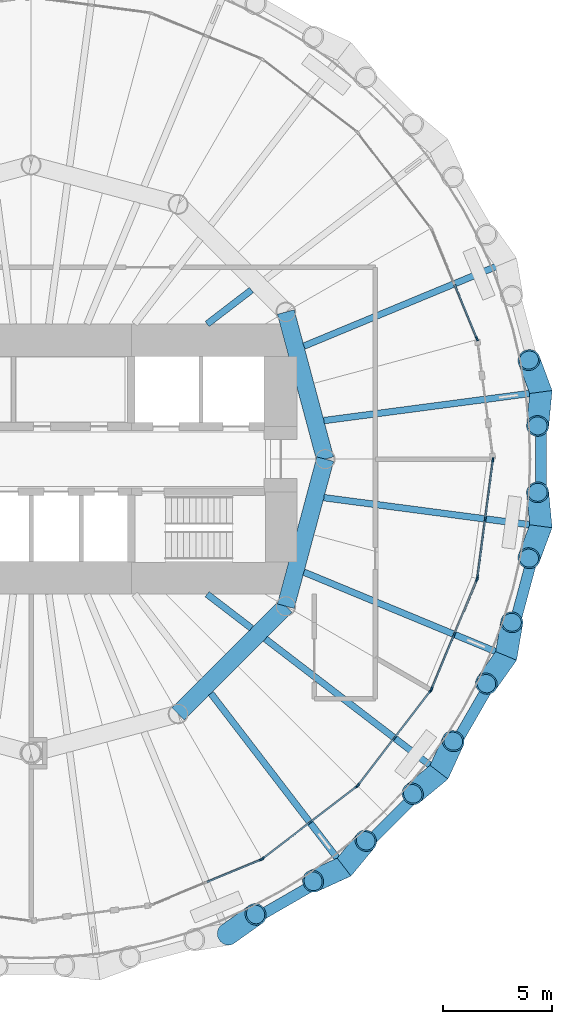
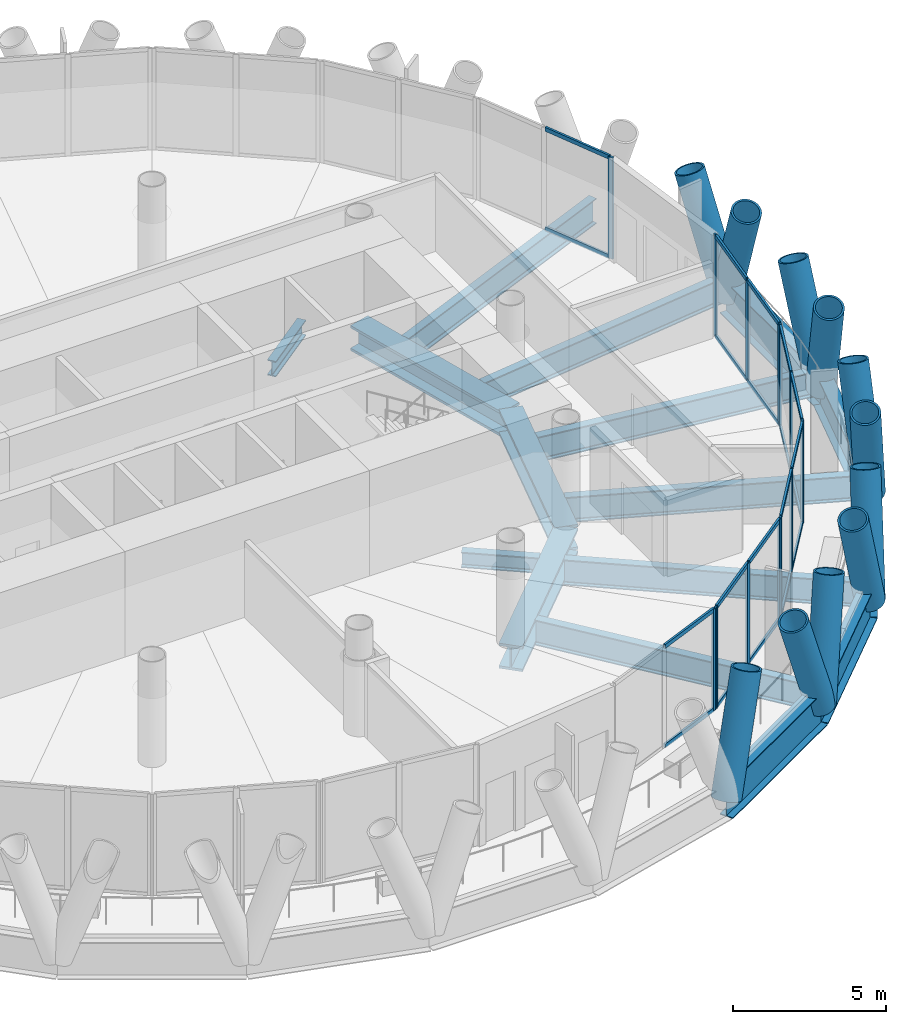
# One storey, part 4 of 14: 45 members, 16 beams, 6 elements without a shape of their own.
"""IFC4 building model written with IfcOpenShell, lengths in metres."""

from ifc_helpers import new_model, si_unit, direction, frame, origin, origin_2d, place, context, subcontext, project, spatial, rectangle, hollow_circle, i_section, extrude, material, material_profile, profile_set, type_object, element, aggregate, save


model = new_model("IFC4")

# Units and contexts
model_context = context("Model", 3, precision=1e-05, world=origin(), true_north=direction((0.0, 1.0)))
body_context = subcontext(model_context, "Body", "Model", "MODEL_VIEW")
ifc_project = project(units=[si_unit("LENGTHUNIT", "METRE"), si_unit("AREAUNIT", "SQUARE_METRE"), si_unit("VOLUMEUNIT", "CUBIC_METRE"), si_unit("PLANEANGLEUNIT", "RADIAN"), si_unit("MASSUNIT", "GRAM", prefix="KILO")], contexts=[model_context])

# Site, building, storey
site_placement = place(None, origin())
site = spatial("IfcSite", under=ifc_project, at=site_placement, CompositionType="ELEMENT")
building_placement = place(site_placement, origin())
building = spatial("IfcBuilding", under=site, at=building_placement, Name="Qaws Media Tower", CompositionType="ELEMENT")
storey_placement = place(building_placement, frame((0.0, 0.0, 202.39990234375)))
storey = spatial("IfcBuildingStorey", under=building, at=storey_placement, Name="L46", CompositionType="ELEMENT", Elevation=202.39990234375)

# Curtain wall, member
ifc_material_1 = material(Name="Aluminium and clear glass", Category="aluminium")
curtain_wall_type = type_object("IfcCurtainWallType", Name="Unitised curtain wall CW-C", PredefinedType="NOTDEFINED", material=ifc_material_1)
curtain_wall_1_placement = place(storey_placement, origin())
curtain_wall_1 = element("IfcCurtainWall", 1, at=curtain_wall_1_placement, inside=storey, type_object=curtain_wall_type, Name="CWC curtain wall L46-02", PredefinedType="NOTDEFINED")
ifc_material_2 = material(Name="Aluminium mullion", Category="aluminium")
ifc_material_profile_1 = material_profile(ifc_material_2, rectangle(XDim=0.080078125, YDim=0.199951171875, at=origin_2d()), Name="80x200")
ifc_profile_set_1 = profile_set([ifc_material_profile_1], Name="Aluminium mullion")
member_type_1 = type_object("IfcMemberType", Name="Curtain wall mullion 80x200", PredefinedType="MULLION", material=ifc_profile_set_1)
member_1_placement = place(storey_placement, frame((80.46240234375, 55.52392578125, 0.0), z_axis=(0.0, 0.0, 1.0), x_axis=(-0.923879523321, -0.382683454553, 0.0)))
member_1 = element("IfcMember", 2, at=member_1_placement, type_object=member_type_1, Name="CWC mullion 1", PredefinedType="MULLION", context=body_context, shape_type="SweptSolid", body=[
    extrude(rectangle(XDim=0.080078125, YDim=0.199951171875, at=origin_2d()), origin(), (0.0, 0.0, 1.0), 4.0400390625),
])

curtain_wall_2_placement = place(storey_placement, origin())
curtain_wall_2 = element("IfcCurtainWall", 3, at=curtain_wall_2_placement, inside=storey, type_object=curtain_wall_type, Name="CWC curtain wall L46-20", PredefinedType="NOTDEFINED")
member_2_placement = place(storey_placement, frame((70.56298828125, 31.625, 0.0), z_axis=(0.0, 0.0, 1.0), x_axis=(-0.382683454553, 0.923879523321, 0.0)))
member_2 = element("IfcMember", 4, at=member_2_placement, type_object=member_type_1, Name="CWC mullion 3", PredefinedType="MULLION", context=body_context, shape_type="SweptSolid", body=[
    extrude(rectangle(XDim=0.080078125, YDim=0.199951171875, at=origin_2d()), origin(), (0.0, 0.0, 1.0), 4.0400390625),
])

# Curtain wall, members
curtain_wall_3_placement = place(storey_placement, origin())
curtain_wall_3 = element("IfcCurtainWall", 5, at=curtain_wall_3_placement, inside=storey, type_object=curtain_wall_type, Name="CWC curtain wall L46-21", PredefinedType="NOTDEFINED")
member_3_placement = place(storey_placement, frame((70.6318359375, 31.66455078125, 0.0), z_axis=(0.0, 0.0, 1.0), x_axis=(-0.608761431016, 0.793353338751, 0.0)))
member_3 = element("IfcMember", 6, at=member_3_placement, type_object=member_type_1, Name="CWC mullion 1", PredefinedType="MULLION", context=body_context, shape_type="SweptSolid", body=[
    extrude(rectangle(XDim=0.080078125, YDim=0.199951171875, at=origin_2d()), origin(), (0.0, 0.0, 1.0), 4.0400390625),
])
member_4_placement = place(storey_placement, frame((72.79541015625, 33.32470703125, 0.0), z_axis=(0.0, 0.0, 1.0), x_axis=(-0.608761431016, 0.793353338751, 0.0)))
member_4 = element("IfcMember", 7, at=member_4_placement, type_object=member_type_1, Name="CWC mullion 2", PredefinedType="MULLION", context=body_context, shape_type="SweptSolid", body=[
    extrude(rectangle(XDim=0.080078125, YDim=0.199951171875, at=origin_2d()), origin(), (0.0, 0.0, 1.0), 4.0400390625),
])
member_5_placement = place(storey_placement, frame((74.958984375, 34.985107421875, 0.0), z_axis=(0.0, 0.0, 1.0), x_axis=(-0.608761431016, 0.793353338751, 0.0)))
member_5 = element("IfcMember", 8, at=member_5_placement, type_object=member_type_1, Name="CWC mullion 3", PredefinedType="MULLION", context=body_context, shape_type="SweptSolid", body=[
    extrude(rectangle(XDim=0.080078125, YDim=0.199951171875, at=origin_2d()), origin(), (0.0, 0.0, 1.0), 4.0400390625),
])

curtain_wall_4_placement = place(storey_placement, origin())
curtain_wall_4 = element("IfcCurtainWall", 9, at=curtain_wall_4_placement, inside=storey, type_object=curtain_wall_type, Name="CWC curtain wall L46-22", PredefinedType="NOTDEFINED")
member_6_placement = place(storey_placement, frame((75.014892578125, 35.041015625, 0.0), z_axis=(0.0, 0.0, 1.0), x_axis=(-0.793353338751, 0.608761431016, 0.0)))
member_6 = element("IfcMember", 10, at=member_6_placement, type_object=member_type_1, Name="CWC mullion 1", PredefinedType="MULLION", context=body_context, shape_type="SweptSolid", body=[
    extrude(rectangle(XDim=0.080078125, YDim=0.199951171875, at=origin_2d()), origin(), (0.0, 0.0, 1.0), 4.0400390625),
])
member_7_placement = place(storey_placement, frame((76.67529296875, 37.20458984375, 0.0), z_axis=(0.0, 0.0, 1.0), x_axis=(-0.793353338751, 0.608761431016, 0.0)))
member_7 = element("IfcMember", 11, at=member_7_placement, type_object=member_type_1, Name="CWC mullion 2", PredefinedType="MULLION", context=body_context, shape_type="SweptSolid", body=[
    extrude(rectangle(XDim=0.080078125, YDim=0.199951171875, at=origin_2d()), origin(), (0.0, 0.0, 1.0), 4.0400390625),
])
member_8_placement = place(storey_placement, frame((78.33544921875, 39.3681640625, 0.0), z_axis=(0.0, 0.0, 1.0), x_axis=(-0.793353338751, 0.608761431016, 0.0)))
member_8 = element("IfcMember", 12, at=member_8_placement, type_object=member_type_1, Name="CWC mullion 3", PredefinedType="MULLION", context=body_context, shape_type="SweptSolid", body=[
    extrude(rectangle(XDim=0.080078125, YDim=0.199951171875, at=origin_2d()), origin(), (0.0, 0.0, 1.0), 4.0400390625),
])

curtain_wall_5_placement = place(storey_placement, origin())
curtain_wall_5 = element("IfcCurtainWall", 13, at=curtain_wall_5_placement, inside=storey, type_object=curtain_wall_type, Name="CWC curtain wall L46-23", PredefinedType="NOTDEFINED")
member_9_placement = place(storey_placement, frame((78.375, 39.43701171875, 0.0), z_axis=(0.0, 0.0, 1.0), x_axis=(-0.923879523321, 0.382683454553, 0.0)))
member_9 = element("IfcMember", 14, at=member_9_placement, type_object=member_type_1, Name="CWC mullion 1", PredefinedType="MULLION", context=body_context, shape_type="SweptSolid", body=[
    extrude(rectangle(XDim=0.080078125, YDim=0.199951171875, at=origin_2d()), origin(), (0.0, 0.0, 1.0), 4.0400390625),
])
member_10_placement = place(storey_placement, frame((79.418701171875, 41.95654296875, 0.0), z_axis=(0.0, 0.0, 1.0), x_axis=(-0.923879523321, 0.382683454553, 0.0)))
member_10 = element("IfcMember", 15, at=member_10_placement, type_object=member_type_1, Name="CWC mullion 2", PredefinedType="MULLION", context=body_context, shape_type="SweptSolid", body=[
    extrude(rectangle(XDim=0.080078125, YDim=0.199951171875, at=origin_2d()), origin(), (0.0, 0.0, 1.0), 4.0400390625),
])
member_11_placement = place(storey_placement, frame((80.46240234375, 44.47607421875, 0.0), z_axis=(0.0, 0.0, 1.0), x_axis=(-0.923879523321, 0.382683454553, 0.0)))
member_11 = element("IfcMember", 16, at=member_11_placement, type_object=member_type_1, Name="CWC mullion 3", PredefinedType="MULLION", context=body_context, shape_type="SweptSolid", body=[
    extrude(rectangle(XDim=0.080078125, YDim=0.199951171875, at=origin_2d()), origin(), (0.0, 0.0, 1.0), 4.0400390625),
])

curtain_wall_6_placement = place(storey_placement, origin())
curtain_wall_6 = element("IfcCurtainWall", 17, at=curtain_wall_6_placement, inside=storey, type_object=curtain_wall_type, Name="CWC curtain wall L46-24", PredefinedType="NOTDEFINED")
member_12_placement = place(storey_placement, frame((80.48291015625, 44.552734375, 0.0), z_axis=(0.0, 0.0, 1.0), x_axis=(-0.991444873411, 0.130526100786, 0.0)))
member_12 = element("IfcMember", 18, at=member_12_placement, type_object=member_type_1, Name="CWC mullion 1", PredefinedType="MULLION", context=body_context, shape_type="SweptSolid", body=[
    extrude(rectangle(XDim=0.080078125, YDim=0.199951171875, at=origin_2d()), origin(), (0.0, 0.0, 1.0), 4.0400390625),
])
member_13_placement = place(storey_placement, frame((80.8388671875, 47.256591796875, 0.0), z_axis=(0.0, 0.0, 1.0), x_axis=(-0.991444873411, 0.130526100786, 0.0)))
member_13 = element("IfcMember", 19, at=member_13_placement, type_object=member_type_1, Name="CWC mullion 2", PredefinedType="MULLION", context=body_context, shape_type="SweptSolid", body=[
    extrude(rectangle(XDim=0.080078125, YDim=0.199951171875, at=origin_2d()), origin(), (0.0, 0.0, 1.0), 4.0400390625),
])
member_14_placement = place(storey_placement, frame((81.19482421875, 49.96044921875, 0.0), z_axis=(0.0, 0.0, 1.0), x_axis=(-0.991444873411, 0.130526100786, 0.0)))
member_14 = element("IfcMember", 20, at=member_14_placement, type_object=member_type_1, Name="CWC mullion 3", PredefinedType="MULLION", context=body_context, shape_type="SweptSolid", body=[
    extrude(rectangle(XDim=0.080078125, YDim=0.199951171875, at=origin_2d()), origin(), (0.0, 0.0, 1.0), 4.0400390625),
])

# Member
ifc_material_3 = material(Name="Aluminium transom", Category="aluminium")
ifc_material_profile_2 = material_profile(ifc_material_3, rectangle(XDim=0.080078125, YDim=0.159912109375, at=origin_2d()), Name="80x160")
ifc_profile_set_2 = profile_set([ifc_material_profile_2], Name="Aluminium transom")
member_type_2 = type_object("IfcMemberType", Name="Curtain wall transom 80x160", PredefinedType="USERDEFINED", material=ifc_profile_set_2)
member_15_placement = place(storey_placement, frame((80.447021484375, 55.560791015625, 0.0400390625), z_axis=(-0.38263687271, 0.923898816777, 0.0), x_axis=(-0.923898816777, -0.38263687271, 0.0)))
member_15 = element("IfcMember", 21, at=member_15_placement, type_object=member_type_2, Name="CWC transom 1.1", ObjectType="TRANSOM", PredefinedType="USERDEFINED", context=body_context, shape_type="SweptSolid", body=[
    extrude(rectangle(XDim=0.080078125, YDim=0.159912109375, at=origin_2d()), origin(), (0.0, 0.0, 1.0), 2.647216796875),
])

member_16_placement = place(storey_placement, frame((80.447021484375, 55.560791015625, 4.0), z_axis=(-0.38263687271, 0.923898816777, 0.0), x_axis=(-0.923898816777, -0.38263687271, 0.0)))
member_16 = element("IfcMember", 22, at=member_16_placement, type_object=member_type_2, Name="CWC transom 1.2", ObjectType="TRANSOM", PredefinedType="USERDEFINED", context=body_context, shape_type="SweptSolid", body=[
    extrude(rectangle(XDim=0.080078125, YDim=0.159912109375, at=origin_2d()), origin(), (0.0, 0.0, 1.0), 2.647216796875),
])

aggregate(curtain_wall_1, [member_1, member_15, member_16])

member_17_placement = place(storey_placement, frame((68.080322265625, 30.5966796875, 0.0400390625), z_axis=(0.923898816777, 0.38263687271, 0.0), x_axis=(-0.38263687271, 0.923898816777, 0.0)))
member_17 = element("IfcMember", 23, at=member_17_placement, type_object=member_type_2, Name="CWC transom 2.1", ObjectType="TRANSOM", PredefinedType="USERDEFINED", context=body_context, shape_type="SweptSolid", body=[
    extrude(rectangle(XDim=0.080078125, YDim=0.159912109375, at=origin_2d()), origin(), (0.0, 0.0, 1.0), 2.647216796875),
])

member_18_placement = place(storey_placement, frame((68.080322265625, 30.5966796875, 4.0), z_axis=(0.923898816777, 0.38263687271, 0.0), x_axis=(-0.38263687271, 0.923898816777, 0.0)))
member_18 = element("IfcMember", 24, at=member_18_placement, type_object=member_type_2, Name="CWC transom 2.2", ObjectType="TRANSOM", PredefinedType="USERDEFINED", context=body_context, shape_type="SweptSolid", body=[
    extrude(rectangle(XDim=0.080078125, YDim=0.159912109375, at=origin_2d()), origin(), (0.0, 0.0, 1.0), 2.647216796875),
])

aggregate(curtain_wall_2, [member_2, member_17, member_18])

member_19_placement = place(storey_placement, frame((70.66357421875, 31.68896484375, 0.0400390625), z_axis=(0.793333151209, 0.608787739029, 0.0), x_axis=(-0.608787739029, 0.793333151209, 0.0)))
member_19 = element("IfcMember", 25, at=member_19_placement, type_object=member_type_2, Name="CWC transom 1.1", ObjectType="TRANSOM", PredefinedType="USERDEFINED", context=body_context, shape_type="SweptSolid", body=[
    extrude(rectangle(XDim=0.080078125, YDim=0.159912109375, at=origin_2d()), origin(), (0.0, 0.0, 1.0), 2.647216796875),
])

member_20_placement = place(storey_placement, frame((70.66357421875, 31.68896484375, 4.0), z_axis=(0.793333151209, 0.608787739029, 0.0), x_axis=(-0.608787739029, 0.793333151209, 0.0)))
member_20 = element("IfcMember", 26, at=member_20_placement, type_object=member_type_2, Name="CWC transom 1.2", ObjectType="TRANSOM", PredefinedType="USERDEFINED", context=body_context, shape_type="SweptSolid", body=[
    extrude(rectangle(XDim=0.080078125, YDim=0.159912109375, at=origin_2d()), origin(), (0.0, 0.0, 1.0), 2.647216796875),
])

member_21_placement = place(storey_placement, frame((72.8271484375, 33.34912109375, 0.0400390625), z_axis=(0.793333151209, 0.608787739029, 0.0), x_axis=(-0.608787739029, 0.793333151209, 0.0)))
member_21 = element("IfcMember", 27, at=member_21_placement, type_object=member_type_2, Name="CWC transom 2.1", ObjectType="TRANSOM", PredefinedType="USERDEFINED", context=body_context, shape_type="SweptSolid", body=[
    extrude(rectangle(XDim=0.080078125, YDim=0.159912109375, at=origin_2d()), origin(), (0.0, 0.0, 1.0), 2.647216796875),
])

member_22_placement = place(storey_placement, frame((72.8271484375, 33.34912109375, 4.0), z_axis=(0.793333151209, 0.608787739029, 0.0), x_axis=(-0.608787739029, 0.793333151209, 0.0)))
member_22 = element("IfcMember", 28, at=member_22_placement, type_object=member_type_2, Name="CWC transom 2.2", ObjectType="TRANSOM", PredefinedType="USERDEFINED", context=body_context, shape_type="SweptSolid", body=[
    extrude(rectangle(XDim=0.080078125, YDim=0.159912109375, at=origin_2d()), origin(), (0.0, 0.0, 1.0), 2.647216796875),
])

aggregate(curtain_wall_3, [member_3, member_4, member_5, member_19, member_20, member_21, member_22])

member_23_placement = place(storey_placement, frame((75.039306640625, 35.07275390625, 0.0400390625), z_axis=(0.608787739029, 0.793333151209, 0.0), x_axis=(-0.793333151209, 0.608787739029, 0.0)))
member_23 = element("IfcMember", 29, at=member_23_placement, type_object=member_type_2, Name="CWC transom 1.1", ObjectType="TRANSOM", PredefinedType="USERDEFINED", context=body_context, shape_type="SweptSolid", body=[
    extrude(rectangle(XDim=0.080078125, YDim=0.159912109375, at=origin_2d()), origin(), (0.0, 0.0, 1.0), 2.647216796875),
])

member_24_placement = place(storey_placement, frame((75.039306640625, 35.07275390625, 4.0), z_axis=(0.608787739029, 0.793333151209, 0.0), x_axis=(-0.793333151209, 0.608787739029, 0.0)))
member_24 = element("IfcMember", 30, at=member_24_placement, type_object=member_type_2, Name="CWC transom 1.2", ObjectType="TRANSOM", PredefinedType="USERDEFINED", context=body_context, shape_type="SweptSolid", body=[
    extrude(rectangle(XDim=0.080078125, YDim=0.159912109375, at=origin_2d()), origin(), (0.0, 0.0, 1.0), 2.647216796875),
])

member_25_placement = place(storey_placement, frame((76.699462890625, 37.236328125, 0.0400390625), z_axis=(0.608787739029, 0.793333151209, 0.0), x_axis=(-0.793333151209, 0.608787739029, 0.0)))
member_25 = element("IfcMember", 31, at=member_25_placement, type_object=member_type_2, Name="CWC transom 2.1", ObjectType="TRANSOM", PredefinedType="USERDEFINED", context=body_context, shape_type="SweptSolid", body=[
    extrude(rectangle(XDim=0.080078125, YDim=0.159912109375, at=origin_2d()), origin(), (0.0, 0.0, 1.0), 2.647216796875),
])

member_26_placement = place(storey_placement, frame((76.699462890625, 37.236328125, 4.0), z_axis=(0.608787739029, 0.793333151209, 0.0), x_axis=(-0.793333151209, 0.608787739029, 0.0)))
member_26 = element("IfcMember", 32, at=member_26_placement, type_object=member_type_2, Name="CWC transom 2.2", ObjectType="TRANSOM", PredefinedType="USERDEFINED", context=body_context, shape_type="SweptSolid", body=[
    extrude(rectangle(XDim=0.080078125, YDim=0.159912109375, at=origin_2d()), origin(), (0.0, 0.0, 1.0), 2.647216796875),
])

aggregate(curtain_wall_4, [member_6, member_7, member_8, member_23, member_24, member_25, member_26])

member_27_placement = place(storey_placement, frame((78.390380859375, 39.473876953125, 0.0400390625), z_axis=(0.38263687271, 0.923898816777, 0.0), x_axis=(-0.923898816777, 0.38263687271, 0.0)))
member_27 = element("IfcMember", 33, at=member_27_placement, type_object=member_type_2, Name="CWC transom 1.1", ObjectType="TRANSOM", PredefinedType="USERDEFINED", context=body_context, shape_type="SweptSolid", body=[
    extrude(rectangle(XDim=0.080078125, YDim=0.159912109375, at=origin_2d()), origin(), (0.0, 0.0, 1.0), 2.647216796875),
])

member_28_placement = place(storey_placement, frame((78.390380859375, 39.473876953125, 4.0), z_axis=(0.38263687271, 0.923898816777, 0.0), x_axis=(-0.923898816777, 0.38263687271, 0.0)))
member_28 = element("IfcMember", 34, at=member_28_placement, type_object=member_type_2, Name="CWC transom 1.2", ObjectType="TRANSOM", PredefinedType="USERDEFINED", context=body_context, shape_type="SweptSolid", body=[
    extrude(rectangle(XDim=0.080078125, YDim=0.159912109375, at=origin_2d()), origin(), (0.0, 0.0, 1.0), 2.647216796875),
])

member_29_placement = place(storey_placement, frame((79.43408203125, 41.993408203125, 0.0400390625), z_axis=(0.38263687271, 0.923898816777, 0.0), x_axis=(-0.923898816777, 0.38263687271, 0.0)))
member_29 = element("IfcMember", 35, at=member_29_placement, type_object=member_type_2, Name="CWC transom 2.1", ObjectType="TRANSOM", PredefinedType="USERDEFINED", context=body_context, shape_type="SweptSolid", body=[
    extrude(rectangle(XDim=0.080078125, YDim=0.159912109375, at=origin_2d()), origin(), (0.0, 0.0, 1.0), 2.647216796875),
])

member_30_placement = place(storey_placement, frame((79.43408203125, 41.993408203125, 4.0), z_axis=(0.38263687271, 0.923898816777, 0.0), x_axis=(-0.923898816777, 0.38263687271, 0.0)))
member_30 = element("IfcMember", 36, at=member_30_placement, type_object=member_type_2, Name="CWC transom 2.2", ObjectType="TRANSOM", PredefinedType="USERDEFINED", context=body_context, shape_type="SweptSolid", body=[
    extrude(rectangle(XDim=0.080078125, YDim=0.159912109375, at=origin_2d()), origin(), (0.0, 0.0, 1.0), 2.647216796875),
])

aggregate(curtain_wall_5, [member_9, member_10, member_11, member_27, member_28, member_29, member_30])

member_31_placement = place(storey_placement, frame((80.488037109375, 44.59228515625, 0.0400390625), z_axis=(0.130502227239, 0.991448016129, 0.0), x_axis=(-0.991448016129, 0.130502227239, 0.0)))
member_31 = element("IfcMember", 37, at=member_31_placement, type_object=member_type_2, Name="CWC transom 1.1", ObjectType="TRANSOM", PredefinedType="USERDEFINED", context=body_context, shape_type="SweptSolid", body=[
    extrude(rectangle(XDim=0.080078125, YDim=0.159912109375, at=origin_2d()), origin(), (0.0, 0.0, 1.0), 2.647216796875),
])

member_32_placement = place(storey_placement, frame((80.488037109375, 44.59228515625, 4.0), z_axis=(0.130502227239, 0.991448016129, 0.0), x_axis=(-0.991448016129, 0.130502227239, 0.0)))
member_32 = element("IfcMember", 38, at=member_32_placement, type_object=member_type_2, Name="CWC transom 1.2", ObjectType="TRANSOM", PredefinedType="USERDEFINED", context=body_context, shape_type="SweptSolid", body=[
    extrude(rectangle(XDim=0.080078125, YDim=0.159912109375, at=origin_2d()), origin(), (0.0, 0.0, 1.0), 2.647216796875),
])

member_33_placement = place(storey_placement, frame((80.843994140625, 47.296142578125, 0.0400390625), z_axis=(0.130502227239, 0.991448016129, 0.0), x_axis=(-0.991448016129, 0.130502227239, 0.0)))
member_33 = element("IfcMember", 39, at=member_33_placement, type_object=member_type_2, Name="CWC transom 2.1", ObjectType="TRANSOM", PredefinedType="USERDEFINED", context=body_context, shape_type="SweptSolid", body=[
    extrude(rectangle(XDim=0.080078125, YDim=0.159912109375, at=origin_2d()), origin(), (0.0, 0.0, 1.0), 2.647216796875),
])

member_34_placement = place(storey_placement, frame((80.843994140625, 47.296142578125, 4.0), z_axis=(0.130502227239, 0.991448016129, 0.0), x_axis=(-0.991448016129, 0.130502227239, 0.0)))
member_34 = element("IfcMember", 40, at=member_34_placement, type_object=member_type_2, Name="CWC transom 2.2", ObjectType="TRANSOM", PredefinedType="USERDEFINED", context=body_context, shape_type="SweptSolid", body=[
    extrude(rectangle(XDim=0.080078125, YDim=0.159912109375, at=origin_2d()), origin(), (0.0, 0.0, 1.0), 2.647216796875),
])

aggregate(curtain_wall_6, [member_12, member_13, member_14, member_31, member_32, member_33, member_34])

# Members
ifc_material_4 = material(Name="Steel S460", Category="steel")
ifc_material_profile_3 = material_profile(ifc_material_4, hollow_circle(Radius=0.508056640625, WallThickness=0.070068359375, at=origin_2d()), Name="CHS 1016x70")
ifc_profile_set_3 = profile_set([ifc_material_profile_3], Name="Steel S460")
member_type_3 = type_object("IfcMemberType", Name="Diagrid member CHS 1016x70", PredefinedType="USERDEFINED", material=ifc_profile_set_3)
member_35_placement = place(storey_placement, frame((83.398193359375, 53.080322265625, -0.909912109375), z_axis=(-0.121808661832, 0.326965826616, 0.937153134834), x_axis=(-0.937084117818, -0.349103646691, 0.0)))
element("IfcMember", 41, at=member_35_placement, inside=storey, type_object=member_type_3, Name="DG3 diagrid L46 A01", ObjectType="DIAGRID", PredefinedType="USERDEFINED", context=body_context, shape_type="SweptSolid", body=[
    extrude(hollow_circle(Radius=0.508056640625, WallThickness=0.070068359375, at=origin_2d()), origin(), (0.0, 0.0, 1.0), 4.481689453125),
])
for number, where, z_axis, x_axis, name in (
    (42, (83.398193359375, 53.080322265625, -0.909912109375), (-0.03306773811, -0.347292966152, 0.937173473994), (0.995497577829, -0.094786985058, 0.0), "DG3 diagrid L46 B01"),
    (43, (69.03125, 28.196533203125, -0.909912109375), (0.284313871152, 0.202217491802, 0.93716258391), (-0.579597527467, 0.814902881425, 0.0), "DG3 diagrid L46 A20"),
):
    element("IfcMember", number, at=place(storey_placement, frame(where, z_axis=z_axis, x_axis=x_axis)), inside=storey, type_object=member_type_3, Name=name, ObjectType="DIAGRID", PredefinedType="USERDEFINED", context=body_context, shape_type="SweptSolid", body=[
        extrude(hollow_circle(Radius=0.508056640625, WallThickness=0.070068359375, at=origin_2d()), origin(), (0.0, 0.0, 1.0), 4.4814453125),
    ])
member_36_placement = place(storey_placement, frame((74.36669921875, 31.27685546875, -0.909912109375), z_axis=(0.222263773109, 0.268950060745, 0.937157766861), x_axis=(-0.770838408079, 0.637030728168, 0.0)))
element("IfcMember", 44, at=member_36_placement, inside=storey, type_object=member_type_3, Name="DG3 diagrid L46 A21", ObjectType="DIAGRID", PredefinedType="USERDEFINED", context=body_context, shape_type="SweptSolid", body=[
    extrude(hollow_circle(Radius=0.508056640625, WallThickness=0.070068359375, at=origin_2d()), origin(), (0.0, 0.0, 1.0), 4.481689453125),
])
for number, where, z_axis, x_axis, name in (
    (45, (74.36669921875, 31.27685546875, -0.909912109375), (-0.317275265863, -0.145072807863, 0.937171428337), (0.41583725569, -0.909439045115, 0.0), "DG3 diagrid L46 B21"),
    (46, (78.72314453125, 35.63330078125, -0.909912109375), (0.145072807863, 0.317275265863, 0.937171428337), (-0.909439045115, 0.41583725569, 0.0), "DG3 diagrid L46 A22"),
):
    element("IfcMember", number, at=place(storey_placement, frame(where, z_axis=z_axis, x_axis=x_axis)), inside=storey, type_object=member_type_3, Name=name, ObjectType="DIAGRID", PredefinedType="USERDEFINED", context=body_context, shape_type="SweptSolid", body=[
        extrude(hollow_circle(Radius=0.508056640625, WallThickness=0.070068359375, at=origin_2d()), origin(), (0.0, 0.0, 1.0), 4.4814453125),
    ])
member_37_placement = place(storey_placement, frame((78.72314453125, 35.63330078125, -0.909912109375), z_axis=(-0.268950060745, -0.222263773109, 0.937157766861), x_axis=(0.637030728168, -0.770838408079, 0.0)))
element("IfcMember", 47, at=member_37_placement, inside=storey, type_object=member_type_3, Name="DG3 diagrid L46 B22", ObjectType="DIAGRID", PredefinedType="USERDEFINED", context=body_context, shape_type="SweptSolid", body=[
    extrude(hollow_circle(Radius=0.508056640625, WallThickness=0.070068359375, at=origin_2d()), origin(), (0.0, 0.0, 1.0), 4.481689453125),
])
for number, where, z_axis, x_axis, name in (
    (48, (81.803466796875, 40.96875, -0.909912109375), (0.058017977607, 0.34402209257, 0.937167388516), (-0.986075579143, 0.166297781756, 0.0), "DG3 diagrid L46 A23"),
    (49, (81.803466796875, 40.96875, -0.909912109375), (-0.202217491802, -0.284313871152, 0.93716258391), (0.814902881425, -0.579597527467, 0.0), "DG3 diagrid L46 B23"),
    (50, (83.398193359375, 46.919677734375, -0.909912109375), (-0.03306773811, 0.347292966152, 0.937173473994), (-0.995497577829, -0.094786985058, 0.0), "DG3 diagrid L46 A24"),
):
    element("IfcMember", number, at=place(storey_placement, frame(where, z_axis=z_axis, x_axis=x_axis)), inside=storey, type_object=member_type_3, Name=name, ObjectType="DIAGRID", PredefinedType="USERDEFINED", context=body_context, shape_type="SweptSolid", body=[
        extrude(hollow_circle(Radius=0.508056640625, WallThickness=0.070068359375, at=origin_2d()), origin(), (0.0, 0.0, 1.0), 4.4814453125),
    ])
member_38_placement = place(storey_placement, frame((83.398193359375, 46.919677734375, -0.909912109375), z_axis=(-0.121808661832, -0.326965826616, 0.937153134834), x_axis=(0.937084117818, -0.349103646691, 0.0)))
element("IfcMember", 51, at=member_38_placement, inside=storey, type_object=member_type_3, Name="DG3 diagrid L46 B24", ObjectType="DIAGRID", PredefinedType="USERDEFINED", context=body_context, shape_type="SweptSolid", body=[
    extrude(hollow_circle(Radius=0.508056640625, WallThickness=0.070068359375, at=origin_2d()), origin(), (0.0, 0.0, 1.0), 4.481689453125),
])

# Beams
ifc_material_5 = material(Name="Steel S460", Category="steel")
ifc_material_profile_4 = material_profile(ifc_material_5, i_section(OverallWidth=0.5, OverallDepth=1.5, WebThickness=0.02001953125, FlangeThickness=0.0400390625, at=origin_2d()), Name="PG 1500x500")
ifc_profile_set_4 = profile_set([ifc_material_profile_4], Name="Steel S460")
beam_type_1 = type_object("IfcBeamType", Name="Edge ring beam PG 1500x500", PredefinedType="BEAM", material=ifc_profile_set_4)
for number, where, z_axis, x_axis, name in (
    (52, (69.03125, 28.196533203125, -0.909912109375), (0.866032486833, 0.499987731599, 0.0), (-0.499987731599, 0.866032486833, 0.0), "RB4 edge ring beam L46-20"),
    (53, (74.36669921875, 31.27685546875, -0.909912109375), (0.707106781187, 0.707106781187, 0.0), (-0.707106781187, 0.707106781187, 0.0), "RB4 edge ring beam L46-21"),
    (54, (78.72314453125, 35.63330078125, -0.909912109375), (0.499987731599, 0.866032486833, 0.0), (-0.866032486833, 0.499987731599, 0.0), "RB4 edge ring beam L46-22"),
    (55, (81.803466796875, 40.96875, -0.909912109375), (0.258846347058, 0.965918510339, 0.0), (-0.965918510339, 0.258846347058, 0.0), "RB4 edge ring beam L46-23"),
):
    element("IfcBeam", number, at=place(storey_placement, frame(where, z_axis=z_axis, x_axis=x_axis)), inside=storey, type_object=beam_type_1, Name=name, PredefinedType="BEAM", context=body_context, shape_type="SweptSolid", body=[
        extrude(i_section(OverallWidth=0.5, OverallDepth=1.5, WebThickness=0.02001953125, FlangeThickness=0.0400390625, at=origin_2d()), origin(), (0.0, 0.0, 1.0), 6.160888671875),
    ])
beam_1_placement = place(storey_placement, frame((83.398193359375, 46.919677734375, -0.909912109375), z_axis=(0.0, 1.0, 0.0), x_axis=(-1.0, 0.0, 0.0)))
element("IfcBeam", 56, at=beam_1_placement, inside=storey, type_object=beam_type_1, Name="RB4 edge ring beam L46-24", PredefinedType="BEAM", context=body_context, shape_type="SweptSolid", body=[
    extrude(i_section(OverallWidth=0.5, OverallDepth=1.5, WebThickness=0.02001953125, FlangeThickness=0.0400390625, at=origin_2d()), origin(), (0.0, 0.0, 1.0), 6.16064453125),
])
ifc_material_6 = material(Name="Steel S460", Category="steel")
ifc_material_profile_5 = material_profile(ifc_material_6, i_section(OverallWidth=0.800048828125, OverallDepth=1.0, WebThickness=0.0400390625, FlangeThickness=0.10009765625, at=origin_2d()), Name="PG 1000x800")
ifc_profile_set_5 = profile_set([ifc_material_profile_5], Name="Steel S460")
beam_type_2 = type_object("IfcBeamType", Name="Inner ring girder PG 1000x800", PredefinedType="BEAM", material=ifc_profile_set_5)
beam_2_placement = place(storey_placement, frame((73.5, 50.0, -0.659912109375), z_axis=(-0.258810593767, 0.965928090778, 0.0), x_axis=(-0.965928090778, -0.258810593767, 0.0)))
element("IfcBeam", 57, at=beam_2_placement, inside=storey, type_object=beam_type_2, Name="B3 inner ring beam L46 I01-I02", PredefinedType="BEAM", context=body_context, shape_type="SweptSolid", body=[
    extrude(i_section(OverallWidth=0.800048828125, OverallDepth=1.0, WebThickness=0.0400390625, FlangeThickness=0.10009765625, at=origin_2d()), origin(), (0.0, 0.0, 1.0), 6.988037109375),
])
beam_3_placement = place(storey_placement, frame((66.75, 38.30859375, -0.659912109375), z_axis=(0.707106781187, 0.707106781187, 0.0), x_axis=(-0.707106781187, 0.707106781187, 0.0)))
element("IfcBeam", 58, at=beam_3_placement, inside=storey, type_object=beam_type_2, Name="B3 inner ring beam L46 I11-I12", PredefinedType="BEAM", context=body_context, shape_type="SweptSolid", body=[
    extrude(i_section(OverallWidth=0.800048828125, OverallDepth=1.0, WebThickness=0.0400390625, FlangeThickness=0.10009765625, at=origin_2d()), origin(), (0.0, 0.0, 1.0), 6.98828125),
])
beam_4_placement = place(storey_placement, frame((71.69140625, 43.25, -0.659912109375), z_axis=(0.258810593767, 0.965928090778, 0.0), x_axis=(-0.965928090778, 0.258810593767, 0.0)))
element("IfcBeam", 59, at=beam_4_placement, inside=storey, type_object=beam_type_2, Name="B3 inner ring beam L46 I12-I01", PredefinedType="BEAM", context=body_context, shape_type="SweptSolid", body=[
    extrude(i_section(OverallWidth=0.800048828125, OverallDepth=1.0, WebThickness=0.0400390625, FlangeThickness=0.10009765625, at=origin_2d()), origin(), (0.0, 0.0, 1.0), 6.988037109375),
])
ifc_material_7 = material(Name="Steel S355", Category="steel")
ifc_material_profile_6 = material_profile(ifc_material_7, i_section(OverallWidth=0.302001953125, OverallDepth=1.008056640625, WebThickness=0.02099609375, FlangeThickness=0.0400390625, FilletRadius=0.030029296875, at=origin_2d()), Name="HE 1000 M")
ifc_profile_set_6 = profile_set([ifc_material_profile_6], Name="Steel S355")
beam_type_3 = type_object("IfcBeamType", Name="Radial beam HE 1000 M", PredefinedType="BEAM", material=ifc_profile_set_6)
beam_5_placement = place(storey_placement, frame((73.43994140625, 51.769287109375, -0.663818359375), z_axis=(0.991444778722, 0.130526820019, 0.0), x_axis=(-0.130526820019, 0.991444778722, 0.0)))
element("IfcBeam", 60, at=beam_5_placement, inside=storey, type_object=beam_type_3, Name="B1 radial beam L46 01", PredefinedType="BEAM", context=body_context, shape_type="SweptSolid", body=[
    extrude(i_section(OverallWidth=0.302001953125, OverallDepth=1.008056640625, WebThickness=0.02099609375, FlangeThickness=0.0400390625, FilletRadius=0.030029296875, at=origin_2d()), origin(), (0.0, 0.0, 1.0), 10.044189453125),
])
beam_6_placement = place(storey_placement, frame((72.524169921875, 55.187744140625, -0.663818359375), z_axis=(0.923883219985, 0.382674529894, 0.0), x_axis=(-0.382674529894, 0.923883219985, 0.0)))
element("IfcBeam", 61, at=beam_6_placement, inside=storey, type_object=beam_type_3, Name="B1 radial beam L46 02", PredefinedType="BEAM", context=body_context, shape_type="SweptSolid", body=[
    extrude(i_section(OverallWidth=0.302001953125, OverallDepth=1.008056640625, WebThickness=0.02099609375, FlangeThickness=0.0400390625, FilletRadius=0.030029296875, at=origin_2d()), origin(), (0.0, 0.0, 1.0), 10.043701171875),
])
for number, where, z_axis, x_axis, name in (
    (62, (68.25244140625, 39.245361328125, -0.663818359375), (0.608749410505, -0.793362562269, 0.0), (0.793362562269, 0.608749410505, 0.0), "B1 radial beam L46 21"),
    (63, (70.754638671875, 41.74755859375, -0.663818359375), (0.793362562269, -0.608749410505, 0.0), (0.608749410505, 0.793362562269, 0.0), "B1 radial beam L46 22"),
):
    element("IfcBeam", number, at=place(storey_placement, frame(where, z_axis=z_axis, x_axis=x_axis)), inside=storey, type_object=beam_type_3, Name=name, PredefinedType="BEAM", context=body_context, shape_type="SweptSolid", body=[
        extrude(i_section(OverallWidth=0.302001953125, OverallDepth=1.008056640625, WebThickness=0.02099609375, FlangeThickness=0.0400390625, FilletRadius=0.030029296875, at=origin_2d()), origin(), (0.0, 0.0, 1.0), 10.0439453125),
    ])
beam_7_placement = place(storey_placement, frame((72.524169921875, 44.812255859375, -0.663818359375), z_axis=(0.923883219985, -0.382674529894, 0.0), x_axis=(0.382674529894, 0.923883219985, 0.0)))
element("IfcBeam", 64, at=beam_7_placement, inside=storey, type_object=beam_type_3, Name="B1 radial beam L46 23", PredefinedType="BEAM", context=body_context, shape_type="SweptSolid", body=[
    extrude(i_section(OverallWidth=0.302001953125, OverallDepth=1.008056640625, WebThickness=0.02099609375, FlangeThickness=0.0400390625, FilletRadius=0.030029296875, at=origin_2d()), origin(), (0.0, 0.0, 1.0), 10.043701171875),
])
beam_8_placement = place(storey_placement, frame((73.43994140625, 48.230712890625, -0.663818359375), z_axis=(0.991444778722, -0.130526820019, 0.0), x_axis=(0.130526820019, 0.991444778722, 0.0)))
element("IfcBeam", 65, at=beam_8_placement, inside=storey, type_object=beam_type_3, Name="B1 radial beam L46 24", PredefinedType="BEAM", context=body_context, shape_type="SweptSolid", body=[
    extrude(i_section(OverallWidth=0.302001953125, OverallDepth=1.008056640625, WebThickness=0.02099609375, FlangeThickness=0.0400390625, FilletRadius=0.030029296875, at=origin_2d()), origin(), (0.0, 0.0, 1.0), 10.044189453125),
])
ifc_material_8 = material(Name="Steel S355", Category="steel")
ifc_material_profile_7 = material_profile(ifc_material_8, i_section(OverallWidth=0.304931640625, OverallDepth=0.6201171875, WebThickness=0.02099609375, FlangeThickness=0.0400390625, FilletRadius=0.027099609375, at=origin_2d()), Name="HE 600 M")
ifc_profile_set_7 = profile_set([ifc_material_profile_7], Name="Steel S355")
beam_type_4 = type_object("IfcBeamType", Name="Radial beam HE 600 M, core side", PredefinedType="BEAM", material=ifc_profile_set_7)
for number, where, z_axis, x_axis, name in (
    (66, (68.080078125, 56.199951171875, -0.469970703125), (0.793313603331, 0.608813211725, 0.0), (-0.608813211725, 0.793313603331, 0.0), "B2 radial beam L46 03"),
    (67, (68.080078125, 43.800048828125, -0.469970703125), (0.793313603331, -0.608813211725, 0.0), (0.608813211725, 0.793313603331, 0.0), "B2 radial beam L46 22"),
):
    element("IfcBeam", number, at=place(storey_placement, frame(where, z_axis=z_axis, x_axis=x_axis)), inside=storey, type_object=beam_type_4, Name=name, PredefinedType="BEAM", context=body_context, shape_type="SweptSolid", body=[
        extrude(i_section(OverallWidth=0.304931640625, OverallDepth=0.6201171875, WebThickness=0.02099609375, FlangeThickness=0.0400390625, FilletRadius=0.027099609375, at=origin_2d()), origin(), (0.0, 0.0, 1.0), 2.564453125),
    ])

save(model, "model.ifc")
